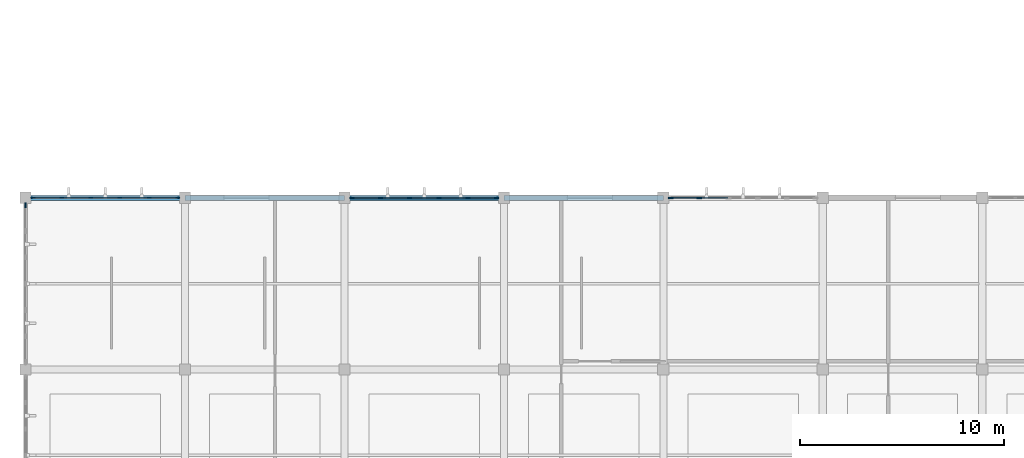
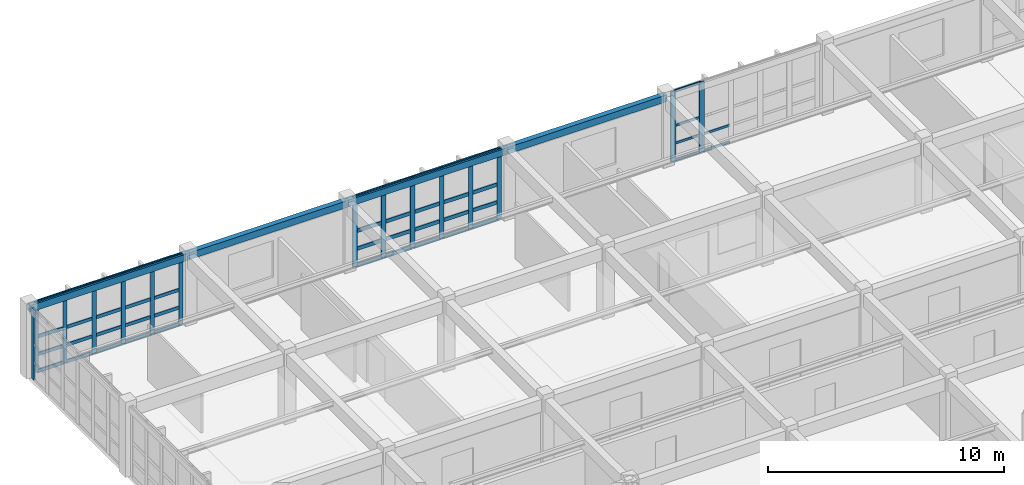
# One storey, part 13 of 35: 61 members, 4 beams, 4 elements without a shape of their own.
"""IFC4 building model written with IfcOpenShell, lengths in metres."""

import ifcopenshell
import ifcopenshell.guid

model = None  # the IFC model being written
_history = None  # IfcOwnerHistory: only IFC2X3 demands one
_inside = {}  # id of a spatial element -> (the spatial element, [elements in it])
_under = {}  # id of a project, library or spatial element -> (it, [spatial elements below it])
_declared = {}  # id of a project -> (the project, [libraries it declares])
_typed = {}  # id of a type object -> (the type object, [elements of that type])
_made_of = {}  # id of a material, layer set ... -> (it, [elements and type objects made of it])


def new_model(schema):
    """Start an empty IFC model of exactly this schema.

    Asked for "IFC4X3", IfcOpenShell would pick the latest addendum, in which some entities
    have other attributes; the version numbers below select the first issue.
    IFC2X3 requires an IfcOwnerHistory on every rooted entity: one is made here for all.
    """
    global model, _history
    if schema == "IFC4X3":
        model = ifcopenshell.file(schema_version=(4, 3, 0, 0))
    else:
        model = ifcopenshell.file(schema=schema)
    _inside.clear()
    _under.clear()
    _declared.clear()
    _typed.clear()
    _made_of.clear()
    _history = None
    if model.schema == "IFC2X3":
        org = make("IfcOrganization", Name="unknown")
        user = make(
            "IfcPersonAndOrganization",
            ThePerson=make("IfcPerson", FamilyName="unknown"),
            TheOrganization=org,
        )
        app = make(
            "IfcApplication",
            ApplicationDeveloper=org,
            Version="unknown",
            ApplicationFullName="unknown",
            ApplicationIdentifier="unknown",
        )
        _history = make(
            "IfcOwnerHistory",
            OwningUser=user,
            OwningApplication=app,
            ChangeAction="ADDED",
            CreationDate=0,
        )
    return model


def make(cls, **values):
    """One entity of the class cls with the attributes given. An attribute that is None is left unset."""
    return model.create_entity(
        cls, **{name: value for name, value in values.items() if value is not None}
    )


def rooted(cls, **values):
    """An entity with a GlobalId (a new one), such as an element, a storey or a relation."""
    return make(cls, GlobalId=ifcopenshell.guid.new(), OwnerHistory=_history, **values)


def si_unit(unit_type, name, prefix=None):
    """IfcSIUnit, for example si_unit("LENGTHUNIT", "METRE", prefix="MILLI")."""
    return make("IfcSIUnit", UnitType=unit_type, Prefix=prefix, Name=name)


def assignment(units):
    """IfcUnitAssignment: the units of a project."""
    return None if units is None else make("IfcUnitAssignment", Units=units)


def point(xyz):
    """IfcCartesianPoint."""
    return None if xyz is None else make("IfcCartesianPoint", Coordinates=xyz)


def direction(xyz):
    """IfcDirection."""
    return None if xyz is None else make("IfcDirection", DirectionRatios=xyz)


def frame(location, z_axis=None, x_axis=None):
    """IfcAxis2Placement3D, a coordinate frame: its origin and axes. An axis left out is left unset."""
    return make(
        "IfcAxis2Placement3D",
        Location=point(location),
        Axis=direction(z_axis),
        RefDirection=direction(x_axis),
    )


def frame_2d(location, x_axis=None):
    """IfcAxis2Placement2D, a coordinate frame in the plane: its origin and x axis."""
    return make(
        "IfcAxis2Placement2D", Location=point(location), RefDirection=direction(x_axis)
    )


def origin():
    """The frame at (0, 0, 0) with its axes left unset."""
    return frame((0.0, 0.0, 0.0))


def origin_2d():
    """The frame at (0, 0) in the plane with its x axis left unset."""
    return frame_2d((0.0, 0.0))


def place(relative_to, where):
    """IfcLocalPlacement: puts the frame where relative to a parent placement (None: the world)."""
    return make(
        "IfcLocalPlacement", PlacementRelTo=relative_to, RelativePlacement=where
    )


def context(
    kind, dimensions, precision=None, world=None, true_north=None, identifier=None
):
    """IfcGeometricRepresentationContext, for example the 3D "Model" context."""
    return make(
        "IfcGeometricRepresentationContext",
        ContextIdentifier=identifier,
        ContextType=kind,
        CoordinateSpaceDimension=dimensions,
        Precision=precision,
        WorldCoordinateSystem=world,
        TrueNorth=true_north,
    )


def subcontext(parent, identifier, kind, view, scale=None):
    """IfcGeometricRepresentationSubContext, for example "Body" below "Model"."""
    return make(
        "IfcGeometricRepresentationSubContext",
        ContextIdentifier=identifier,
        ContextType=kind,
        ParentContext=parent,
        TargetScale=scale,
        TargetView=view,
    )


def project(units=None, contexts=None):
    """IfcProject with its units and contexts."""
    return rooted(
        "IfcProject",
        Name="project",
        RepresentationContexts=contexts,
        UnitsInContext=assignment(units),
    )


def spatial(cls, under=None, at=None, **own):
    """A site, building, storey or space (cls), placed at a placement, below another one or the project."""
    s = rooted(cls, ObjectPlacement=at, **own)
    if under is not None:
        _under.setdefault(under.id(), (under, []))[1].append(s)
    return s


def profile(cls, at=None, kind="AREA", **sizes):
    """A parametric profile (cls). Its sizes go by their IFC names, for example OverallWidth=200.0."""
    return make(cls, ProfileType=kind, Position=at, **sizes)


def rectangle(**sizes):
    """IfcRectangleProfileDef."""
    return profile("IfcRectangleProfileDef", **sizes)


def hollow_rectangle(**sizes):
    """IfcRectangleHollowProfileDef."""
    return profile("IfcRectangleHollowProfileDef", **sizes)


def extrude(swept, where, along, depth):
    """IfcExtrudedAreaSolid: the profile swept, set in the frame where, extruded along a direction by depth."""
    return make(
        "IfcExtrudedAreaSolid",
        SweptArea=swept,
        Position=where,
        ExtrudedDirection=direction(along),
        Depth=depth,
    )


def shape(context_of_items, identifier, shape_type, items):
    """IfcShapeRepresentation: the items that make up one representation, for example the "Body"."""
    return make(
        "IfcShapeRepresentation",
        ContextOfItems=context_of_items,
        RepresentationIdentifier=identifier,
        RepresentationType=shape_type,
        Items=items,
    )


def material(Name=None, Category=None):
    """IfcMaterial."""
    return make("IfcMaterial", Name=Name, Category=Category)


def material_profile(
    of_material, cross_section, Name=None, Category=None, Priority=None
):
    """IfcMaterialProfile: a cross section and its material."""
    return make(
        "IfcMaterialProfile",
        Name=Name,
        Material=of_material,
        Profile=cross_section,
        Priority=Priority,
        Category=Category,
    )


def profile_set(profiles, Name=None, composite=None):
    """IfcMaterialProfileSet."""
    return make(
        "IfcMaterialProfileSet",
        Name=Name,
        MaterialProfiles=profiles,
        CompositeProfile=composite,
    )


def made_of(thing, what):
    """Note that an element or type object is made of a material, layer set ...; save() writes the relation."""
    if what is not None:
        _made_of.setdefault(what.id(), (what, []))[1].append(thing)
    return thing


def type_object(cls, material=None, **own):
    """A type object (cls), such as IfcWallType, which elements share."""
    return made_of(rooted(cls, **own), material)


def element(
    cls,
    number,
    at=None,
    inside=None,
    cuts=None,
    type_object=None,
    material=None,
    context=None,
    identifier="Body",
    shape_type=None,
    held_by="IfcProductDefinitionShape",
    body=None,
    shapes=None,
    **own,
):
    """One element of the class cls, such as IfcWall. Its Tag is "e" and its number.

    at: its placement. inside: the storey or other place that contains it. cuts: it is an
    opening in that element (IfcRelVoidsElement). A single representation is given by context,
    identifier, shape_type and body (its items); several are given by shapes. held_by: the class
    of the entity that holds the representations. save() writes the other relations.
    """
    e = rooted(cls, Tag="e%d" % number, ObjectPlacement=at, **own)
    if body is not None:
        shapes = [shape(context, identifier, shape_type, body)]
    if shapes is not None:
        e.Representation = make(held_by, Representations=shapes)
    if inside is not None:
        _inside.setdefault(inside.id(), (inside, []))[1].append(e)
    if cuts is not None:
        rooted(
            "IfcRelVoidsElement", RelatingBuildingElement=cuts, RelatedOpeningElement=e
        )
    if type_object is not None:
        _typed.setdefault(type_object.id(), (type_object, []))[1].append(e)
    return made_of(e, material)


def aggregate(whole, parts):
    """IfcRelAggregates: a whole, such as a stair, and the parts it consists of."""
    return rooted("IfcRelAggregates", RelatingObject=whole, RelatedObjects=parts)


def save(model, path):
    """Write the relations noted so far, then the file.

    IfcRelAggregates (storeys below a building ...), IfcRelContainedInSpatialStructure (elements
    in a storey), IfcRelDefinesByType, IfcRelAssociatesMaterial and IfcRelDeclares: one each for
    every whole, place, type object, material and project.
    """
    for whole, parts in _under.values():
        aggregate(whole, parts)
    for where, things in _inside.values():
        rooted(
            "IfcRelContainedInSpatialStructure",
            RelatedElements=things,
            RelatingStructure=where,
        )
    for kind, things in _typed.values():
        rooted("IfcRelDefinesByType", RelatedObjects=things, RelatingType=kind)
    for what, things in _made_of.values():
        rooted("IfcRelAssociatesMaterial", RelatedObjects=things, RelatingMaterial=what)
    for by, libraries in _declared.values():
        rooted("IfcRelDeclares", RelatingContext=by, RelatedDefinitions=libraries)
    model.write(path)


model = new_model("IFC4")

# Units and contexts
model_context = context("Model", 3, precision=1e-05, world=origin(), true_north=direction((0.0, 1.0)))
body_context = subcontext(model_context, "Body", "Model", "MODEL_VIEW")
ifc_project = project(units=[si_unit("LENGTHUNIT", "METRE"), si_unit("AREAUNIT", "SQUARE_METRE"), si_unit("VOLUMEUNIT", "CUBIC_METRE"), si_unit("PLANEANGLEUNIT", "RADIAN"), si_unit("MASSUNIT", "GRAM", prefix="KILO")], contexts=[model_context])

# Site, building, storey
site_placement = place(None, origin())
site = spatial("IfcSite", under=ifc_project, at=site_placement, CompositionType="ELEMENT")
building_placement = place(site_placement, origin())
building = spatial("IfcBuilding", under=site, at=building_placement, Name="Tizgana Railside Sports Hall", CompositionType="ELEMENT")
storey_placement = place(building_placement, frame((0.0, 0.0, 15.89990234375)))
storey = spatial("IfcBuildingStorey", under=building, at=storey_placement, Name="L03", CompositionType="ELEMENT", Elevation=15.89990234375)

# Curtain wall, members
ifc_material_1 = material(Name="Anodised aluminium and glass", Category="aluminium")
curtain_wall_type_1 = type_object("IfcCurtainWallType", Name="Unitised Curtain Wall Climbing 1600", PredefinedType="NOTDEFINED", material=ifc_material_1)
curtain_wall_1_placement = place(storey_placement, origin())
curtain_wall_1 = element("IfcCurtainWall", 1, at=curtain_wall_1_placement, inside=storey, type_object=curtain_wall_type_1, Name="L03 Curtain Wall CW-0123", PredefinedType="NOTDEFINED")
ifc_material_2 = material(Name="Anodised aluminium", Category="aluminium")
ifc_material_profile_1 = material_profile(ifc_material_2, rectangle(XDim=0.06494140625, YDim=0.199951171875, at=origin_2d()), Name="Mullion 65x200")
ifc_profile_set_1 = profile_set([ifc_material_profile_1], Name="Anodised aluminium")
member_type_1 = type_object("IfcMemberType", Name="Mullion 65x200", PredefinedType="MULLION", material=ifc_profile_set_1)
member_1_placement = place(storey_placement, frame((8.16259765625, 32.39990234375, 0.0), z_axis=(0.0, 0.0, 1.0), x_axis=(0.0, 1.0, 0.0)))
member_1 = element("IfcMember", 2, at=member_1_placement, type_object=member_type_1, Name="CW-04 mullion 1", PredefinedType="MULLION", context=body_context, shape_type="SweptSolid", body=[
    extrude(rectangle(XDim=0.06494140625, YDim=0.199951171875, at=origin_2d()), origin(), (0.0, 0.0, 1.0), 3.64013671875),
])
member_2_placement = place(storey_placement, frame((9.55810546875, 32.39990234375, 0.0), z_axis=(0.0, 0.0, 1.0), x_axis=(0.0, 1.0, 0.0)))
member_2 = element("IfcMember", 3, at=member_2_placement, type_object=member_type_1, Name="CW-04 mullion 2", PredefinedType="MULLION", context=body_context, shape_type="SweptSolid", body=[
    extrude(rectangle(XDim=0.06494140625, YDim=0.199951171875, at=origin_2d()), origin(), (0.0, 0.0, 1.0), 3.64013671875),
])
member_3_placement = place(storey_placement, frame((10.986083984375, 32.39990234375, 0.0), z_axis=(0.0, 0.0, 1.0), x_axis=(0.0, 1.0, 0.0)))
member_3 = element("IfcMember", 4, at=member_3_placement, type_object=member_type_1, Name="CW-04 mullion 3", PredefinedType="MULLION", context=body_context, shape_type="SweptSolid", body=[
    extrude(rectangle(XDim=0.06494140625, YDim=0.199951171875, at=origin_2d()), origin(), (0.0, 0.0, 1.0), 3.64013671875),
])
member_4_placement = place(storey_placement, frame((12.4140625, 32.39990234375, 0.0), z_axis=(0.0, 0.0, 1.0), x_axis=(0.0, 1.0, 0.0)))
member_4 = element("IfcMember", 5, at=member_4_placement, type_object=member_type_1, Name="CW-04 mullion 4", PredefinedType="MULLION", context=body_context, shape_type="SweptSolid", body=[
    extrude(rectangle(XDim=0.06494140625, YDim=0.199951171875, at=origin_2d()), origin(), (0.0, 0.0, 1.0), 3.64013671875),
])
member_5_placement = place(storey_placement, frame((13.842041015625, 32.39990234375, 0.0), z_axis=(0.0, 0.0, 1.0), x_axis=(0.0, 1.0, 0.0)))
member_5 = element("IfcMember", 6, at=member_5_placement, type_object=member_type_1, Name="CW-04 mullion 5", PredefinedType="MULLION", context=body_context, shape_type="SweptSolid", body=[
    extrude(rectangle(XDim=0.06494140625, YDim=0.199951171875, at=origin_2d()), origin(), (0.0, 0.0, 1.0), 3.64013671875),
])
member_6_placement = place(storey_placement, frame((15.237548828125, 32.39990234375, 0.0), z_axis=(0.0, 0.0, 1.0), x_axis=(0.0, 1.0, 0.0)))
member_6 = element("IfcMember", 7, at=member_6_placement, type_object=member_type_1, Name="CW-04 mullion 6", PredefinedType="MULLION", context=body_context, shape_type="SweptSolid", body=[
    extrude(rectangle(XDim=0.06494140625, YDim=0.199951171875, at=origin_2d()), origin(), (0.0, 0.0, 1.0), 3.64013671875),
])

curtain_wall_type_2 = type_object("IfcCurtainWallType", Name="Unitised Curtain Wall Clinic 1200", PredefinedType="NOTDEFINED", material=ifc_material_1)
curtain_wall_2_placement = place(storey_placement, origin())
curtain_wall_2 = element("IfcCurtainWall", 8, at=curtain_wall_2_placement, inside=storey, type_object=curtain_wall_type_2, Name="L03 Curtain Wall CW-0124", PredefinedType="NOTDEFINED")
ifc_material_profile_2 = material_profile(ifc_material_2, rectangle(XDim=0.070068359375, YDim=0.219970703125, at=origin_2d()), Name="Mullion 70x220")
ifc_profile_set_2 = profile_set([ifc_material_profile_2], Name="Anodised aluminium")
member_type_2 = type_object("IfcMemberType", Name="Mullion 70x220", PredefinedType="MULLION", material=ifc_profile_set_2)
member_7_placement = place(storey_placement, frame((23.764892578125, 32.39990234375, 0.0), z_axis=(0.0, 0.0, 1.0), x_axis=(0.0, 1.0, 0.0)))
member_7 = element("IfcMember", 9, at=member_7_placement, type_object=member_type_2, Name="CW-05 mullion 1", PredefinedType="MULLION", context=body_context, shape_type="SweptSolid", body=[
    extrude(rectangle(XDim=0.070068359375, YDim=0.219970703125, at=origin_2d()), origin(), (0.0, 0.0, 1.0), 3.64013671875),
])
member_8_placement = place(storey_placement, frame((25.157958984375, 32.39990234375, 0.0), z_axis=(0.0, 0.0, 1.0), x_axis=(0.0, 1.0, 0.0)))
member_8 = element("IfcMember", 10, at=member_8_placement, type_object=member_type_2, Name="CW-05 mullion 2", PredefinedType="MULLION", context=body_context, shape_type="SweptSolid", body=[
    extrude(rectangle(XDim=0.070068359375, YDim=0.219970703125, at=origin_2d()), origin(), (0.0, 0.0, 1.0), 3.64013671875),
])
member_9_placement = place(storey_placement, frame((26.5859375, 32.39990234375, 0.0), z_axis=(0.0, 0.0, 1.0), x_axis=(0.0, 1.0, 0.0)))
member_9 = element("IfcMember", 11, at=member_9_placement, type_object=member_type_2, Name="CW-05 mullion 3", PredefinedType="MULLION", context=body_context, shape_type="SweptSolid", body=[
    extrude(rectangle(XDim=0.070068359375, YDim=0.219970703125, at=origin_2d()), origin(), (0.0, 0.0, 1.0), 3.64013671875),
])
member_10_placement = place(storey_placement, frame((28.013916015625, 32.39990234375, 0.0), z_axis=(0.0, 0.0, 1.0), x_axis=(0.0, 1.0, 0.0)))
member_10 = element("IfcMember", 12, at=member_10_placement, type_object=member_type_2, Name="CW-05 mullion 4", PredefinedType="MULLION", context=body_context, shape_type="SweptSolid", body=[
    extrude(rectangle(XDim=0.070068359375, YDim=0.219970703125, at=origin_2d()), origin(), (0.0, 0.0, 1.0), 3.64013671875),
])
member_11_placement = place(storey_placement, frame((29.44189453125, 32.39990234375, 0.0), z_axis=(0.0, 0.0, 1.0), x_axis=(0.0, 1.0, 0.0)))
member_11 = element("IfcMember", 13, at=member_11_placement, type_object=member_type_2, Name="CW-05 mullion 5", PredefinedType="MULLION", context=body_context, shape_type="SweptSolid", body=[
    extrude(rectangle(XDim=0.070068359375, YDim=0.219970703125, at=origin_2d()), origin(), (0.0, 0.0, 1.0), 3.64013671875),
])
member_12_placement = place(storey_placement, frame((30.8349609375, 32.39990234375, 0.0), z_axis=(0.0, 0.0, 1.0), x_axis=(0.0, 1.0, 0.0)))
member_12 = element("IfcMember", 14, at=member_12_placement, type_object=member_type_2, Name="CW-05 mullion 6", PredefinedType="MULLION", context=body_context, shape_type="SweptSolid", body=[
    extrude(rectangle(XDim=0.070068359375, YDim=0.219970703125, at=origin_2d()), origin(), (0.0, 0.0, 1.0), 3.64013671875),
])

curtain_wall_type_3 = type_object("IfcCurtainWallType", Name="Unitised Curtain Wall Passage 1800", PredefinedType="NOTDEFINED", material=ifc_material_1)
curtain_wall_3_placement = place(storey_placement, origin())
curtain_wall_3 = element("IfcCurtainWall", 15, at=curtain_wall_3_placement, inside=storey, type_object=curtain_wall_type_3, Name="L03 Curtain Wall CW-0125", PredefinedType="NOTDEFINED")
ifc_material_profile_3 = material_profile(ifc_material_2, rectangle(XDim=0.074951171875, YDim=0.25, at=origin_2d()), Name="Mullion 75x250")
ifc_profile_set_3 = profile_set([ifc_material_profile_3], Name="Anodised aluminium")
member_type_3 = type_object("IfcMemberType", Name="Mullion 75x250", PredefinedType="MULLION", material=ifc_profile_set_3)
member_13_placement = place(storey_placement, frame((39.367431640625, 32.39990234375, 0.0), z_axis=(0.0, 0.0, 1.0), x_axis=(0.0, 1.0, 0.0)))
member_13 = element("IfcMember", 16, at=member_13_placement, type_object=member_type_3, Name="CW-06 mullion 1", PredefinedType="MULLION", context=body_context, shape_type="SweptSolid", body=[
    extrude(rectangle(XDim=0.074951171875, YDim=0.25, at=origin_2d()), origin(), (0.0, 0.0, 1.0), 3.64013671875),
])
member_14_placement = place(storey_placement, frame((40.758056640625, 32.39990234375, 0.0), z_axis=(0.0, 0.0, 1.0), x_axis=(0.0, 1.0, 0.0)))
member_14 = element("IfcMember", 17, at=member_14_placement, type_object=member_type_3, Name="CW-06 mullion 2", PredefinedType="MULLION", context=body_context, shape_type="SweptSolid", body=[
    extrude(rectangle(XDim=0.074951171875, YDim=0.25, at=origin_2d()), origin(), (0.0, 0.0, 1.0), 3.64013671875),
])

# Curtain wall, member
curtain_wall_4_placement = place(storey_placement, origin())
curtain_wall_4 = element("IfcCurtainWall", 18, at=curtain_wall_4_placement, inside=storey, type_object=curtain_wall_type_1, Name="L03 Curtain Wall CW-0131", PredefinedType="NOTDEFINED")
member_15_placement = place(storey_placement, frame((7.800048828125, 32.032470703125, 0.0), z_axis=(0.0, 0.0, 1.0), x_axis=(1.0, 0.0, 0.0)))
member_15 = element("IfcMember", 19, at=member_15_placement, type_object=member_type_3, Name="CW-04 mullion 1", PredefinedType="MULLION", context=body_context, shape_type="SweptSolid", body=[
    extrude(rectangle(XDim=0.074951171875, YDim=0.25, at=origin_2d()), origin(), (0.0, 0.0, 1.0), 3.64013671875),
])
aggregate(curtain_wall_4, [member_15])

# Beams
ifc_material_3 = material(Name="Steel S355J2", Category="steel")
ifc_material_profile_4 = material_profile(ifc_material_3, hollow_rectangle(XDim=0.25, YDim=0.35009765625, WallThickness=0.011962890625, at=origin_2d()), Name="RHS 350x250x12")
ifc_profile_set_4 = profile_set([ifc_material_profile_4], Name="Steel S355J2")
beam_type = type_object("IfcBeamType", Name="Steel Spandrel RHS 350x250x12", PredefinedType="SPANDREL", material=ifc_profile_set_4)
beam_1_placement = place(storey_placement, frame((7.800048828125, 32.39990234375, 3.461181640625), z_axis=(1.0, 0.0, 0.0), x_axis=(0.0, 1.0, 0.0)))
element("IfcBeam", 20, at=beam_1_placement, inside=storey, type_object=beam_type, Name="L03 BEM-0735", PredefinedType="SPANDREL", context=body_context, shape_type="SweptSolid", body=[
    extrude(hollow_rectangle(XDim=0.25, YDim=0.35009765625, WallThickness=0.011962890625, at=origin_2d()), origin(), (0.0, 0.0, 1.0), 7.800048828125),
])
beam_2_placement = place(storey_placement, frame((15.60009765625, 32.39990234375, 3.461181640625), z_axis=(1.0, 0.0, 0.0), x_axis=(0.0, 1.0, 0.0)))
element("IfcBeam", 21, at=beam_2_placement, inside=storey, type_object=beam_type, Name="L03 BEM-0742", PredefinedType="SPANDREL", context=body_context, shape_type="SweptSolid", body=[
    extrude(hollow_rectangle(XDim=0.25, YDim=0.35009765625, WallThickness=0.011962890625, at=origin_2d()), origin(), (0.0, 0.0, 1.0), 7.7998046875),
])
for number, where, z_axis, x_axis, name in (
    (22, (23.39990234375, 32.39990234375, 3.461181640625), (1.0, 0.0, 0.0), (0.0, 1.0, 0.0), "L03 BEM-0750"),
    (23, (31.199951171875, 32.39990234375, 3.461181640625), (1.0, 0.0, 0.0), (0.0, 1.0, 0.0), "L03 BEM-0759"),
):
    element("IfcBeam", number, at=place(storey_placement, frame(where, z_axis=z_axis, x_axis=x_axis)), inside=storey, type_object=beam_type, Name=name, PredefinedType="SPANDREL", context=body_context, shape_type="SweptSolid", body=[
        extrude(hollow_rectangle(XDim=0.25, YDim=0.35009765625, WallThickness=0.011962890625, at=origin_2d()), origin(), (0.0, 0.0, 1.0), 7.800048828125),
    ])

# Member
ifc_material_profile_5 = material_profile(ifc_material_2, rectangle(XDim=0.054931640625, YDim=0.1201171875, at=origin_2d()), Name="Transom 55x120")
ifc_profile_set_5 = profile_set([ifc_material_profile_5], Name="Anodised aluminium")
member_type_4 = type_object("IfcMemberType", Name="Transom 55x120", PredefinedType="USERDEFINED", material=ifc_profile_set_5)
member_16_placement = place(storey_placement, frame((39.405029296875, 32.39990234375, 0.027587890625), z_axis=(1.0, 0.0, 0.0), x_axis=(0.0, 1.0, 0.0)))
member_16 = element("IfcMember", 24, at=member_16_placement, type_object=member_type_4, Name="CW-06 transom 1.1", ObjectType="TRANSOM", PredefinedType="USERDEFINED", context=body_context, shape_type="SweptSolid", body=[
    extrude(rectangle(XDim=0.054931640625, YDim=0.1201171875, at=origin_2d()), origin(), (0.0, 0.0, 1.0), 1.3154296875),
])

member_17_placement = place(storey_placement, frame((39.405029296875, 32.39990234375, 0.900146484375), z_axis=(1.0, 0.0, 0.0), x_axis=(0.0, 1.0, 0.0)))
member_17 = element("IfcMember", 25, at=member_17_placement, type_object=member_type_4, Name="CW-06 transom 1.2", ObjectType="TRANSOM", PredefinedType="USERDEFINED", context=body_context, shape_type="SweptSolid", body=[
    extrude(rectangle(XDim=0.054931640625, YDim=0.1201171875, at=origin_2d()), origin(), (0.0, 0.0, 1.0), 1.3154296875),
])

member_18_placement = place(storey_placement, frame((39.405029296875, 32.39990234375, 1.820068359375), z_axis=(1.0, 0.0, 0.0), x_axis=(0.0, 1.0, 0.0)))
member_18 = element("IfcMember", 26, at=member_18_placement, type_object=member_type_4, Name="CW-06 transom 1.3", ObjectType="TRANSOM", PredefinedType="USERDEFINED", context=body_context, shape_type="SweptSolid", body=[
    extrude(rectangle(XDim=0.054931640625, YDim=0.1201171875, at=origin_2d()), origin(), (0.0, 0.0, 1.0), 1.3154296875),
])

member_19_placement = place(storey_placement, frame((39.405029296875, 32.39990234375, 3.612548828125), z_axis=(1.0, 0.0, 0.0), x_axis=(0.0, 1.0, 0.0)))
member_19 = element("IfcMember", 27, at=member_19_placement, type_object=member_type_4, Name="CW-06 transom 1.4", ObjectType="TRANSOM", PredefinedType="USERDEFINED", context=body_context, shape_type="SweptSolid", body=[
    extrude(rectangle(XDim=0.054931640625, YDim=0.1201171875, at=origin_2d()), origin(), (0.0, 0.0, 1.0), 1.3154296875),
])

member_20_placement = place(storey_placement, frame((40.79541015625, 32.39990234375, 0.027587890625), z_axis=(1.0, 0.0, 0.0), x_axis=(0.0, 1.0, 0.0)))
member_20 = element("IfcMember", 28, at=member_20_placement, type_object=member_type_4, Name="CW-06 transom 2.1", ObjectType="TRANSOM", PredefinedType="USERDEFINED", context=body_context, shape_type="SweptSolid", body=[
    extrude(rectangle(XDim=0.054931640625, YDim=0.1201171875, at=origin_2d()), origin(), (0.0, 0.0, 1.0), 1.35302734375),
])

member_21_placement = place(storey_placement, frame((40.79541015625, 32.39990234375, 0.900146484375), z_axis=(1.0, 0.0, 0.0), x_axis=(0.0, 1.0, 0.0)))
member_21 = element("IfcMember", 29, at=member_21_placement, type_object=member_type_4, Name="CW-06 transom 2.2", ObjectType="TRANSOM", PredefinedType="USERDEFINED", context=body_context, shape_type="SweptSolid", body=[
    extrude(rectangle(XDim=0.054931640625, YDim=0.1201171875, at=origin_2d()), origin(), (0.0, 0.0, 1.0), 1.35302734375),
])

aggregate(curtain_wall_3, [member_13, member_14, member_16, member_17, member_18, member_19, member_20, member_21])

ifc_material_profile_6 = material_profile(ifc_material_2, rectangle(XDim=0.06494140625, YDim=0.169921875, at=origin_2d()), Name="Transom 65x170")
ifc_profile_set_6 = profile_set([ifc_material_profile_6], Name="Anodised aluminium")
member_type_5 = type_object("IfcMemberType", Name="Transom 65x170", PredefinedType="USERDEFINED", material=ifc_profile_set_6)
member_22_placement = place(storey_placement, frame((8.195068359375, 32.39990234375, 0.03271484375), z_axis=(1.0, 0.0, 0.0), x_axis=(0.0, 1.0, 0.0)))
member_22 = element("IfcMember", 30, at=member_22_placement, type_object=member_type_5, Name="CW-04 transom 1.1", ObjectType="TRANSOM", PredefinedType="USERDEFINED", context=body_context, shape_type="SweptSolid", body=[
    extrude(rectangle(XDim=0.06494140625, YDim=0.169921875, at=origin_2d()), origin(), (0.0, 0.0, 1.0), 1.330322265625),
])

member_23_placement = place(storey_placement, frame((8.195068359375, 32.39990234375, 0.900146484375), z_axis=(1.0, 0.0, 0.0), x_axis=(0.0, 1.0, 0.0)))
member_23 = element("IfcMember", 31, at=member_23_placement, type_object=member_type_5, Name="CW-04 transom 1.2", ObjectType="TRANSOM", PredefinedType="USERDEFINED", context=body_context, shape_type="SweptSolid", body=[
    extrude(rectangle(XDim=0.06494140625, YDim=0.169921875, at=origin_2d()), origin(), (0.0, 0.0, 1.0), 1.330322265625),
])

member_24_placement = place(storey_placement, frame((8.195068359375, 32.39990234375, 1.820068359375), z_axis=(1.0, 0.0, 0.0), x_axis=(0.0, 1.0, 0.0)))
member_24 = element("IfcMember", 32, at=member_24_placement, type_object=member_type_5, Name="CW-04 transom 1.3", ObjectType="TRANSOM", PredefinedType="USERDEFINED", context=body_context, shape_type="SweptSolid", body=[
    extrude(rectangle(XDim=0.06494140625, YDim=0.169921875, at=origin_2d()), origin(), (0.0, 0.0, 1.0), 1.330322265625),
])

member_25_placement = place(storey_placement, frame((8.195068359375, 32.39990234375, 3.607666015625), z_axis=(1.0, 0.0, 0.0), x_axis=(0.0, 1.0, 0.0)))
member_25 = element("IfcMember", 33, at=member_25_placement, type_object=member_type_5, Name="CW-04 transom 1.4", ObjectType="TRANSOM", PredefinedType="USERDEFINED", context=body_context, shape_type="SweptSolid", body=[
    extrude(rectangle(XDim=0.06494140625, YDim=0.169921875, at=origin_2d()), origin(), (0.0, 0.0, 1.0), 1.330322265625),
])

member_26_placement = place(storey_placement, frame((9.590576171875, 32.39990234375, 0.03271484375), z_axis=(1.0, 0.0, 0.0), x_axis=(0.0, 1.0, 0.0)))
member_26 = element("IfcMember", 34, at=member_26_placement, type_object=member_type_5, Name="CW-04 transom 2.1", ObjectType="TRANSOM", PredefinedType="USERDEFINED", context=body_context, shape_type="SweptSolid", body=[
    extrude(rectangle(XDim=0.06494140625, YDim=0.169921875, at=origin_2d()), origin(), (0.0, 0.0, 1.0), 1.363037109375),
])

member_27_placement = place(storey_placement, frame((9.590576171875, 32.39990234375, 0.900146484375), z_axis=(1.0, 0.0, 0.0), x_axis=(0.0, 1.0, 0.0)))
member_27 = element("IfcMember", 35, at=member_27_placement, type_object=member_type_5, Name="CW-04 transom 2.2", ObjectType="TRANSOM", PredefinedType="USERDEFINED", context=body_context, shape_type="SweptSolid", body=[
    extrude(rectangle(XDim=0.06494140625, YDim=0.169921875, at=origin_2d()), origin(), (0.0, 0.0, 1.0), 1.363037109375),
])

member_28_placement = place(storey_placement, frame((9.590576171875, 32.39990234375, 1.820068359375), z_axis=(1.0, 0.0, 0.0), x_axis=(0.0, 1.0, 0.0)))
member_28 = element("IfcMember", 36, at=member_28_placement, type_object=member_type_5, Name="CW-04 transom 2.3", ObjectType="TRANSOM", PredefinedType="USERDEFINED", context=body_context, shape_type="SweptSolid", body=[
    extrude(rectangle(XDim=0.06494140625, YDim=0.169921875, at=origin_2d()), origin(), (0.0, 0.0, 1.0), 1.363037109375),
])

member_29_placement = place(storey_placement, frame((9.590576171875, 32.39990234375, 3.607666015625), z_axis=(1.0, 0.0, 0.0), x_axis=(0.0, 1.0, 0.0)))
member_29 = element("IfcMember", 37, at=member_29_placement, type_object=member_type_5, Name="CW-04 transom 2.4", ObjectType="TRANSOM", PredefinedType="USERDEFINED", context=body_context, shape_type="SweptSolid", body=[
    extrude(rectangle(XDim=0.06494140625, YDim=0.169921875, at=origin_2d()), origin(), (0.0, 0.0, 1.0), 1.363037109375),
])

member_30_placement = place(storey_placement, frame((11.0185546875, 32.39990234375, 0.03271484375), z_axis=(1.0, 0.0, 0.0), x_axis=(0.0, 1.0, 0.0)))
member_30 = element("IfcMember", 38, at=member_30_placement, type_object=member_type_5, Name="CW-04 transom 3.1", ObjectType="TRANSOM", PredefinedType="USERDEFINED", context=body_context, shape_type="SweptSolid", body=[
    extrude(rectangle(XDim=0.06494140625, YDim=0.169921875, at=origin_2d()), origin(), (0.0, 0.0, 1.0), 1.363037109375),
])

member_31_placement = place(storey_placement, frame((11.0185546875, 32.39990234375, 0.900146484375), z_axis=(1.0, 0.0, 0.0), x_axis=(0.0, 1.0, 0.0)))
member_31 = element("IfcMember", 39, at=member_31_placement, type_object=member_type_5, Name="CW-04 transom 3.2", ObjectType="TRANSOM", PredefinedType="USERDEFINED", context=body_context, shape_type="SweptSolid", body=[
    extrude(rectangle(XDim=0.06494140625, YDim=0.169921875, at=origin_2d()), origin(), (0.0, 0.0, 1.0), 1.363037109375),
])

member_32_placement = place(storey_placement, frame((11.0185546875, 32.39990234375, 1.820068359375), z_axis=(1.0, 0.0, 0.0), x_axis=(0.0, 1.0, 0.0)))
member_32 = element("IfcMember", 40, at=member_32_placement, type_object=member_type_5, Name="CW-04 transom 3.3", ObjectType="TRANSOM", PredefinedType="USERDEFINED", context=body_context, shape_type="SweptSolid", body=[
    extrude(rectangle(XDim=0.06494140625, YDim=0.169921875, at=origin_2d()), origin(), (0.0, 0.0, 1.0), 1.363037109375),
])

member_33_placement = place(storey_placement, frame((11.0185546875, 32.39990234375, 3.607666015625), z_axis=(1.0, 0.0, 0.0), x_axis=(0.0, 1.0, 0.0)))
member_33 = element("IfcMember", 41, at=member_33_placement, type_object=member_type_5, Name="CW-04 transom 3.4", ObjectType="TRANSOM", PredefinedType="USERDEFINED", context=body_context, shape_type="SweptSolid", body=[
    extrude(rectangle(XDim=0.06494140625, YDim=0.169921875, at=origin_2d()), origin(), (0.0, 0.0, 1.0), 1.363037109375),
])

member_34_placement = place(storey_placement, frame((12.446533203125, 32.39990234375, 0.03271484375), z_axis=(1.0, 0.0, 0.0), x_axis=(0.0, 1.0, 0.0)))
member_34 = element("IfcMember", 42, at=member_34_placement, type_object=member_type_5, Name="CW-04 transom 4.1", ObjectType="TRANSOM", PredefinedType="USERDEFINED", context=body_context, shape_type="SweptSolid", body=[
    extrude(rectangle(XDim=0.06494140625, YDim=0.169921875, at=origin_2d()), origin(), (0.0, 0.0, 1.0), 1.363037109375),
])

member_35_placement = place(storey_placement, frame((12.446533203125, 32.39990234375, 0.900146484375), z_axis=(1.0, 0.0, 0.0), x_axis=(0.0, 1.0, 0.0)))
member_35 = element("IfcMember", 43, at=member_35_placement, type_object=member_type_5, Name="CW-04 transom 4.2", ObjectType="TRANSOM", PredefinedType="USERDEFINED", context=body_context, shape_type="SweptSolid", body=[
    extrude(rectangle(XDim=0.06494140625, YDim=0.169921875, at=origin_2d()), origin(), (0.0, 0.0, 1.0), 1.363037109375),
])

member_36_placement = place(storey_placement, frame((12.446533203125, 32.39990234375, 1.820068359375), z_axis=(1.0, 0.0, 0.0), x_axis=(0.0, 1.0, 0.0)))
member_36 = element("IfcMember", 44, at=member_36_placement, type_object=member_type_5, Name="CW-04 transom 4.3", ObjectType="TRANSOM", PredefinedType="USERDEFINED", context=body_context, shape_type="SweptSolid", body=[
    extrude(rectangle(XDim=0.06494140625, YDim=0.169921875, at=origin_2d()), origin(), (0.0, 0.0, 1.0), 1.363037109375),
])

member_37_placement = place(storey_placement, frame((12.446533203125, 32.39990234375, 3.607666015625), z_axis=(1.0, 0.0, 0.0), x_axis=(0.0, 1.0, 0.0)))
member_37 = element("IfcMember", 45, at=member_37_placement, type_object=member_type_5, Name="CW-04 transom 4.4", ObjectType="TRANSOM", PredefinedType="USERDEFINED", context=body_context, shape_type="SweptSolid", body=[
    extrude(rectangle(XDim=0.06494140625, YDim=0.169921875, at=origin_2d()), origin(), (0.0, 0.0, 1.0), 1.363037109375),
])

member_38_placement = place(storey_placement, frame((13.87451171875, 32.39990234375, 0.03271484375), z_axis=(1.0, 0.0, 0.0), x_axis=(0.0, 1.0, 0.0)))
member_38 = element("IfcMember", 46, at=member_38_placement, type_object=member_type_5, Name="CW-04 transom 5.1", ObjectType="TRANSOM", PredefinedType="USERDEFINED", context=body_context, shape_type="SweptSolid", body=[
    extrude(rectangle(XDim=0.06494140625, YDim=0.169921875, at=origin_2d()), origin(), (0.0, 0.0, 1.0), 1.33056640625),
])

member_39_placement = place(storey_placement, frame((13.87451171875, 32.39990234375, 0.900146484375), z_axis=(1.0, 0.0, 0.0), x_axis=(0.0, 1.0, 0.0)))
member_39 = element("IfcMember", 47, at=member_39_placement, type_object=member_type_5, Name="CW-04 transom 5.2", ObjectType="TRANSOM", PredefinedType="USERDEFINED", context=body_context, shape_type="SweptSolid", body=[
    extrude(rectangle(XDim=0.06494140625, YDim=0.169921875, at=origin_2d()), origin(), (0.0, 0.0, 1.0), 1.33056640625),
])

member_40_placement = place(storey_placement, frame((13.87451171875, 32.39990234375, 1.820068359375), z_axis=(1.0, 0.0, 0.0), x_axis=(0.0, 1.0, 0.0)))
member_40 = element("IfcMember", 48, at=member_40_placement, type_object=member_type_5, Name="CW-04 transom 5.3", ObjectType="TRANSOM", PredefinedType="USERDEFINED", context=body_context, shape_type="SweptSolid", body=[
    extrude(rectangle(XDim=0.06494140625, YDim=0.169921875, at=origin_2d()), origin(), (0.0, 0.0, 1.0), 1.33056640625),
])

member_41_placement = place(storey_placement, frame((13.87451171875, 32.39990234375, 3.607666015625), z_axis=(1.0, 0.0, 0.0), x_axis=(0.0, 1.0, 0.0)))
member_41 = element("IfcMember", 49, at=member_41_placement, type_object=member_type_5, Name="CW-04 transom 5.4", ObjectType="TRANSOM", PredefinedType="USERDEFINED", context=body_context, shape_type="SweptSolid", body=[
    extrude(rectangle(XDim=0.06494140625, YDim=0.169921875, at=origin_2d()), origin(), (0.0, 0.0, 1.0), 1.33056640625),
])

aggregate(curtain_wall_1, [member_1, member_2, member_3, member_4, member_5, member_6, member_22, member_23, member_24, member_25, member_26, member_27, member_28, member_29, member_30, member_31, member_32, member_33, member_34, member_35, member_36, member_37, member_38, member_39, member_40, member_41])

ifc_material_profile_7 = material_profile(ifc_material_2, rectangle(XDim=0.070068359375, YDim=0.18994140625, at=origin_2d()), Name="Transom 70x190")
ifc_profile_set_7 = profile_set([ifc_material_profile_7], Name="Anodised aluminium")
member_type_6 = type_object("IfcMemberType", Name="Transom 70x190", PredefinedType="USERDEFINED", material=ifc_profile_set_7)
member_42_placement = place(storey_placement, frame((23.800048828125, 32.39990234375, 0.03515625), z_axis=(1.0, 0.0, 0.0), x_axis=(0.0, 1.0, 0.0)))
member_42 = element("IfcMember", 50, at=member_42_placement, type_object=member_type_6, Name="CW-05 transom 1.1", ObjectType="TRANSOM", PredefinedType="USERDEFINED", context=body_context, shape_type="SweptSolid", body=[
    extrude(rectangle(XDim=0.070068359375, YDim=0.18994140625, at=origin_2d()), origin(), (0.0, 0.0, 1.0), 1.322998046875),
])

member_43_placement = place(storey_placement, frame((23.800048828125, 32.39990234375, 0.900146484375), z_axis=(1.0, 0.0, 0.0), x_axis=(0.0, 1.0, 0.0)))
member_43 = element("IfcMember", 51, at=member_43_placement, type_object=member_type_6, Name="CW-05 transom 1.2", ObjectType="TRANSOM", PredefinedType="USERDEFINED", context=body_context, shape_type="SweptSolid", body=[
    extrude(rectangle(XDim=0.070068359375, YDim=0.18994140625, at=origin_2d()), origin(), (0.0, 0.0, 1.0), 1.322998046875),
])

member_44_placement = place(storey_placement, frame((23.800048828125, 32.39990234375, 1.820068359375), z_axis=(1.0, 0.0, 0.0), x_axis=(0.0, 1.0, 0.0)))
member_44 = element("IfcMember", 52, at=member_44_placement, type_object=member_type_6, Name="CW-05 transom 1.3", ObjectType="TRANSOM", PredefinedType="USERDEFINED", context=body_context, shape_type="SweptSolid", body=[
    extrude(rectangle(XDim=0.070068359375, YDim=0.18994140625, at=origin_2d()), origin(), (0.0, 0.0, 1.0), 1.322998046875),
])

member_45_placement = place(storey_placement, frame((23.800048828125, 32.39990234375, 3.60498046875), z_axis=(1.0, 0.0, 0.0), x_axis=(0.0, 1.0, 0.0)))
member_45 = element("IfcMember", 53, at=member_45_placement, type_object=member_type_6, Name="CW-05 transom 1.4", ObjectType="TRANSOM", PredefinedType="USERDEFINED", context=body_context, shape_type="SweptSolid", body=[
    extrude(rectangle(XDim=0.070068359375, YDim=0.18994140625, at=origin_2d()), origin(), (0.0, 0.0, 1.0), 1.322998046875),
])

member_46_placement = place(storey_placement, frame((25.193115234375, 32.39990234375, 0.03515625), z_axis=(1.0, 0.0, 0.0), x_axis=(0.0, 1.0, 0.0)))
member_46 = element("IfcMember", 54, at=member_46_placement, type_object=member_type_6, Name="CW-05 transom 2.1", ObjectType="TRANSOM", PredefinedType="USERDEFINED", context=body_context, shape_type="SweptSolid", body=[
    extrude(rectangle(XDim=0.070068359375, YDim=0.18994140625, at=origin_2d()), origin(), (0.0, 0.0, 1.0), 1.35791015625),
])

member_47_placement = place(storey_placement, frame((25.193115234375, 32.39990234375, 0.900146484375), z_axis=(1.0, 0.0, 0.0), x_axis=(0.0, 1.0, 0.0)))
member_47 = element("IfcMember", 55, at=member_47_placement, type_object=member_type_6, Name="CW-05 transom 2.2", ObjectType="TRANSOM", PredefinedType="USERDEFINED", context=body_context, shape_type="SweptSolid", body=[
    extrude(rectangle(XDim=0.070068359375, YDim=0.18994140625, at=origin_2d()), origin(), (0.0, 0.0, 1.0), 1.35791015625),
])

member_48_placement = place(storey_placement, frame((25.193115234375, 32.39990234375, 1.820068359375), z_axis=(1.0, 0.0, 0.0), x_axis=(0.0, 1.0, 0.0)))
member_48 = element("IfcMember", 56, at=member_48_placement, type_object=member_type_6, Name="CW-05 transom 2.3", ObjectType="TRANSOM", PredefinedType="USERDEFINED", context=body_context, shape_type="SweptSolid", body=[
    extrude(rectangle(XDim=0.070068359375, YDim=0.18994140625, at=origin_2d()), origin(), (0.0, 0.0, 1.0), 1.35791015625),
])

member_49_placement = place(storey_placement, frame((25.193115234375, 32.39990234375, 3.60498046875), z_axis=(1.0, 0.0, 0.0), x_axis=(0.0, 1.0, 0.0)))
member_49 = element("IfcMember", 57, at=member_49_placement, type_object=member_type_6, Name="CW-05 transom 2.4", ObjectType="TRANSOM", PredefinedType="USERDEFINED", context=body_context, shape_type="SweptSolid", body=[
    extrude(rectangle(XDim=0.070068359375, YDim=0.18994140625, at=origin_2d()), origin(), (0.0, 0.0, 1.0), 1.35791015625),
])

member_50_placement = place(storey_placement, frame((26.62109375, 32.39990234375, 0.03515625), z_axis=(1.0, 0.0, 0.0), x_axis=(0.0, 1.0, 0.0)))
member_50 = element("IfcMember", 58, at=member_50_placement, type_object=member_type_6, Name="CW-05 transom 3.1", ObjectType="TRANSOM", PredefinedType="USERDEFINED", context=body_context, shape_type="SweptSolid", body=[
    extrude(rectangle(XDim=0.070068359375, YDim=0.18994140625, at=origin_2d()), origin(), (0.0, 0.0, 1.0), 1.35791015625),
])

member_51_placement = place(storey_placement, frame((26.62109375, 32.39990234375, 0.900146484375), z_axis=(1.0, 0.0, 0.0), x_axis=(0.0, 1.0, 0.0)))
member_51 = element("IfcMember", 59, at=member_51_placement, type_object=member_type_6, Name="CW-05 transom 3.2", ObjectType="TRANSOM", PredefinedType="USERDEFINED", context=body_context, shape_type="SweptSolid", body=[
    extrude(rectangle(XDim=0.070068359375, YDim=0.18994140625, at=origin_2d()), origin(), (0.0, 0.0, 1.0), 1.35791015625),
])

member_52_placement = place(storey_placement, frame((26.62109375, 32.39990234375, 1.820068359375), z_axis=(1.0, 0.0, 0.0), x_axis=(0.0, 1.0, 0.0)))
member_52 = element("IfcMember", 60, at=member_52_placement, type_object=member_type_6, Name="CW-05 transom 3.3", ObjectType="TRANSOM", PredefinedType="USERDEFINED", context=body_context, shape_type="SweptSolid", body=[
    extrude(rectangle(XDim=0.070068359375, YDim=0.18994140625, at=origin_2d()), origin(), (0.0, 0.0, 1.0), 1.35791015625),
])

member_53_placement = place(storey_placement, frame((26.62109375, 32.39990234375, 3.60498046875), z_axis=(1.0, 0.0, 0.0), x_axis=(0.0, 1.0, 0.0)))
member_53 = element("IfcMember", 61, at=member_53_placement, type_object=member_type_6, Name="CW-05 transom 3.4", ObjectType="TRANSOM", PredefinedType="USERDEFINED", context=body_context, shape_type="SweptSolid", body=[
    extrude(rectangle(XDim=0.070068359375, YDim=0.18994140625, at=origin_2d()), origin(), (0.0, 0.0, 1.0), 1.35791015625),
])

member_54_placement = place(storey_placement, frame((28.049072265625, 32.39990234375, 0.03515625), z_axis=(1.0, 0.0, 0.0), x_axis=(0.0, 1.0, 0.0)))
member_54 = element("IfcMember", 62, at=member_54_placement, type_object=member_type_6, Name="CW-05 transom 4.1", ObjectType="TRANSOM", PredefinedType="USERDEFINED", context=body_context, shape_type="SweptSolid", body=[
    extrude(rectangle(XDim=0.070068359375, YDim=0.18994140625, at=origin_2d()), origin(), (0.0, 0.0, 1.0), 1.35791015625),
])

member_55_placement = place(storey_placement, frame((28.049072265625, 32.39990234375, 0.900146484375), z_axis=(1.0, 0.0, 0.0), x_axis=(0.0, 1.0, 0.0)))
member_55 = element("IfcMember", 63, at=member_55_placement, type_object=member_type_6, Name="CW-05 transom 4.2", ObjectType="TRANSOM", PredefinedType="USERDEFINED", context=body_context, shape_type="SweptSolid", body=[
    extrude(rectangle(XDim=0.070068359375, YDim=0.18994140625, at=origin_2d()), origin(), (0.0, 0.0, 1.0), 1.35791015625),
])

member_56_placement = place(storey_placement, frame((28.049072265625, 32.39990234375, 1.820068359375), z_axis=(1.0, 0.0, 0.0), x_axis=(0.0, 1.0, 0.0)))
member_56 = element("IfcMember", 64, at=member_56_placement, type_object=member_type_6, Name="CW-05 transom 4.3", ObjectType="TRANSOM", PredefinedType="USERDEFINED", context=body_context, shape_type="SweptSolid", body=[
    extrude(rectangle(XDim=0.070068359375, YDim=0.18994140625, at=origin_2d()), origin(), (0.0, 0.0, 1.0), 1.35791015625),
])

member_57_placement = place(storey_placement, frame((28.049072265625, 32.39990234375, 3.60498046875), z_axis=(1.0, 0.0, 0.0), x_axis=(0.0, 1.0, 0.0)))
member_57 = element("IfcMember", 65, at=member_57_placement, type_object=member_type_6, Name="CW-05 transom 4.4", ObjectType="TRANSOM", PredefinedType="USERDEFINED", context=body_context, shape_type="SweptSolid", body=[
    extrude(rectangle(XDim=0.070068359375, YDim=0.18994140625, at=origin_2d()), origin(), (0.0, 0.0, 1.0), 1.35791015625),
])

member_58_placement = place(storey_placement, frame((29.47705078125, 32.39990234375, 0.03515625), z_axis=(1.0, 0.0, 0.0), x_axis=(0.0, 1.0, 0.0)))
member_58 = element("IfcMember", 66, at=member_58_placement, type_object=member_type_6, Name="CW-05 transom 5.1", ObjectType="TRANSOM", PredefinedType="USERDEFINED", context=body_context, shape_type="SweptSolid", body=[
    extrude(rectangle(XDim=0.070068359375, YDim=0.18994140625, at=origin_2d()), origin(), (0.0, 0.0, 1.0), 1.322998046875),
])

member_59_placement = place(storey_placement, frame((29.47705078125, 32.39990234375, 0.900146484375), z_axis=(1.0, 0.0, 0.0), x_axis=(0.0, 1.0, 0.0)))
member_59 = element("IfcMember", 67, at=member_59_placement, type_object=member_type_6, Name="CW-05 transom 5.2", ObjectType="TRANSOM", PredefinedType="USERDEFINED", context=body_context, shape_type="SweptSolid", body=[
    extrude(rectangle(XDim=0.070068359375, YDim=0.18994140625, at=origin_2d()), origin(), (0.0, 0.0, 1.0), 1.322998046875),
])

member_60_placement = place(storey_placement, frame((29.47705078125, 32.39990234375, 1.820068359375), z_axis=(1.0, 0.0, 0.0), x_axis=(0.0, 1.0, 0.0)))
member_60 = element("IfcMember", 68, at=member_60_placement, type_object=member_type_6, Name="CW-05 transom 5.3", ObjectType="TRANSOM", PredefinedType="USERDEFINED", context=body_context, shape_type="SweptSolid", body=[
    extrude(rectangle(XDim=0.070068359375, YDim=0.18994140625, at=origin_2d()), origin(), (0.0, 0.0, 1.0), 1.322998046875),
])

member_61_placement = place(storey_placement, frame((29.47705078125, 32.39990234375, 3.60498046875), z_axis=(1.0, 0.0, 0.0), x_axis=(0.0, 1.0, 0.0)))
member_61 = element("IfcMember", 69, at=member_61_placement, type_object=member_type_6, Name="CW-05 transom 5.4", ObjectType="TRANSOM", PredefinedType="USERDEFINED", context=body_context, shape_type="SweptSolid", body=[
    extrude(rectangle(XDim=0.070068359375, YDim=0.18994140625, at=origin_2d()), origin(), (0.0, 0.0, 1.0), 1.322998046875),
])

aggregate(curtain_wall_2, [member_7, member_8, member_9, member_10, member_11, member_12, member_42, member_43, member_44, member_45, member_46, member_47, member_48, member_49, member_50, member_51, member_52, member_53, member_54, member_55, member_56, member_57, member_58, member_59, member_60, member_61])

save(model, "model.ifc")
